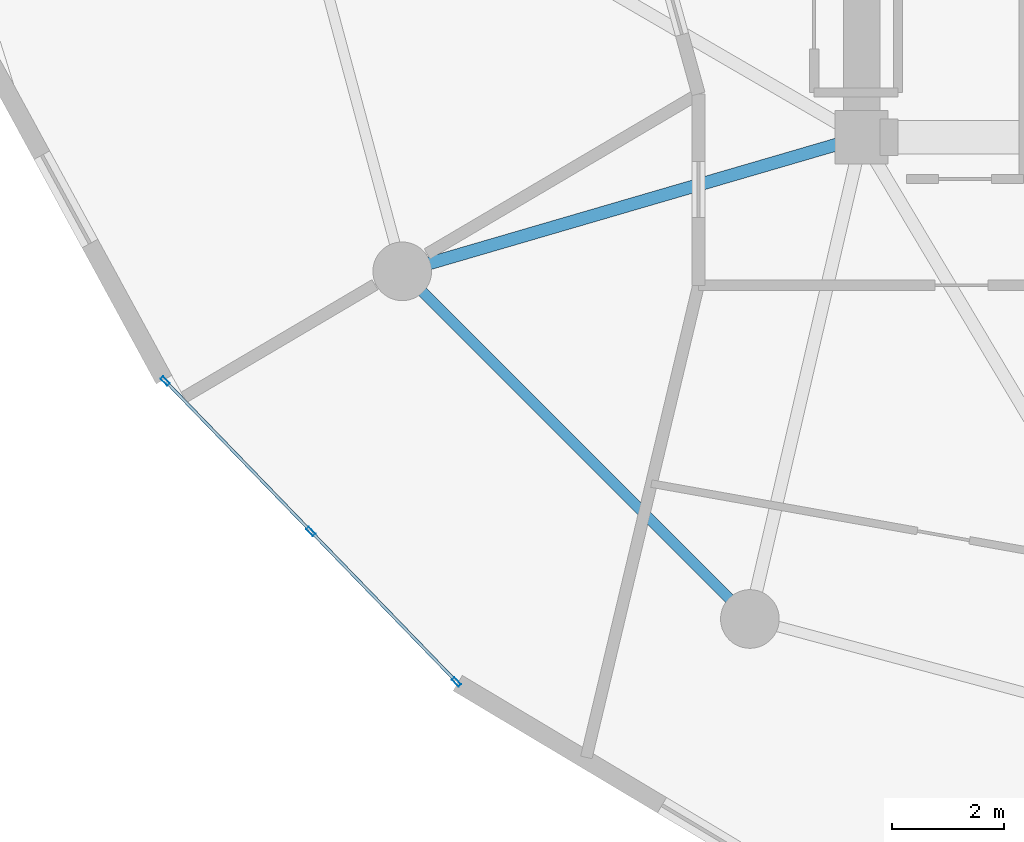
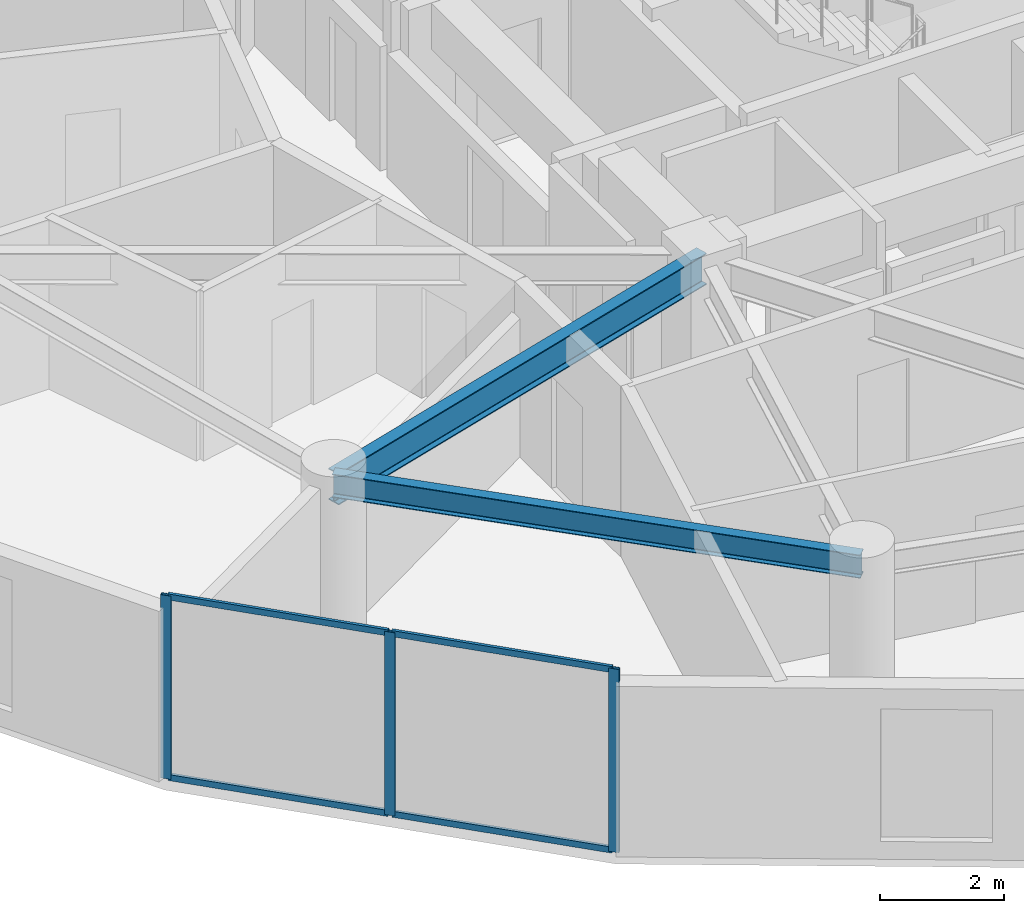
# One storey, part 2 of 25: 7 members, 2 beams, 1 element without a shape of its own.
"""IFC4 building model written with IfcOpenShell, lengths in metres."""

import ifcopenshell
import ifcopenshell.guid

model = None  # the IFC model being written
_history = None  # IfcOwnerHistory: only IFC2X3 demands one
_inside = {}  # id of a spatial element -> (the spatial element, [elements in it])
_under = {}  # id of a project, library or spatial element -> (it, [spatial elements below it])
_declared = {}  # id of a project -> (the project, [libraries it declares])
_typed = {}  # id of a type object -> (the type object, [elements of that type])
_made_of = {}  # id of a material, layer set ... -> (it, [elements and type objects made of it])


def new_model(schema):
    """Start an empty IFC model of exactly this schema.

    Asked for "IFC4X3", IfcOpenShell would pick the latest addendum, in which some entities
    have other attributes; the version numbers below select the first issue.
    IFC2X3 requires an IfcOwnerHistory on every rooted entity: one is made here for all.
    """
    global model, _history
    if schema == "IFC4X3":
        model = ifcopenshell.file(schema_version=(4, 3, 0, 0))
    else:
        model = ifcopenshell.file(schema=schema)
    _inside.clear()
    _under.clear()
    _declared.clear()
    _typed.clear()
    _made_of.clear()
    _history = None
    if model.schema == "IFC2X3":
        org = make("IfcOrganization", Name="unknown")
        user = make(
            "IfcPersonAndOrganization",
            ThePerson=make("IfcPerson", FamilyName="unknown"),
            TheOrganization=org,
        )
        app = make(
            "IfcApplication",
            ApplicationDeveloper=org,
            Version="unknown",
            ApplicationFullName="unknown",
            ApplicationIdentifier="unknown",
        )
        _history = make(
            "IfcOwnerHistory",
            OwningUser=user,
            OwningApplication=app,
            ChangeAction="ADDED",
            CreationDate=0,
        )
    return model


def make(cls, **values):
    """One entity of the class cls with the attributes given. An attribute that is None is left unset."""
    return model.create_entity(
        cls, **{name: value for name, value in values.items() if value is not None}
    )


def rooted(cls, **values):
    """An entity with a GlobalId (a new one), such as an element, a storey or a relation."""
    return make(cls, GlobalId=ifcopenshell.guid.new(), OwnerHistory=_history, **values)


def si_unit(unit_type, name, prefix=None):
    """IfcSIUnit, for example si_unit("LENGTHUNIT", "METRE", prefix="MILLI")."""
    return make("IfcSIUnit", UnitType=unit_type, Prefix=prefix, Name=name)


def assignment(units):
    """IfcUnitAssignment: the units of a project."""
    return None if units is None else make("IfcUnitAssignment", Units=units)


def point(xyz):
    """IfcCartesianPoint."""
    return None if xyz is None else make("IfcCartesianPoint", Coordinates=xyz)


def direction(xyz):
    """IfcDirection."""
    return None if xyz is None else make("IfcDirection", DirectionRatios=xyz)


def frame(location, z_axis=None, x_axis=None):
    """IfcAxis2Placement3D, a coordinate frame: its origin and axes. An axis left out is left unset."""
    return make(
        "IfcAxis2Placement3D",
        Location=point(location),
        Axis=direction(z_axis),
        RefDirection=direction(x_axis),
    )


def frame_2d(location, x_axis=None):
    """IfcAxis2Placement2D, a coordinate frame in the plane: its origin and x axis."""
    return make(
        "IfcAxis2Placement2D", Location=point(location), RefDirection=direction(x_axis)
    )


def origin():
    """The frame at (0, 0, 0) with its axes left unset."""
    return frame((0.0, 0.0, 0.0))


def origin_2d():
    """The frame at (0, 0) in the plane with its x axis left unset."""
    return frame_2d((0.0, 0.0))


def place(relative_to, where):
    """IfcLocalPlacement: puts the frame where relative to a parent placement (None: the world)."""
    return make(
        "IfcLocalPlacement", PlacementRelTo=relative_to, RelativePlacement=where
    )


def context(
    kind, dimensions, precision=None, world=None, true_north=None, identifier=None
):
    """IfcGeometricRepresentationContext, for example the 3D "Model" context."""
    return make(
        "IfcGeometricRepresentationContext",
        ContextIdentifier=identifier,
        ContextType=kind,
        CoordinateSpaceDimension=dimensions,
        Precision=precision,
        WorldCoordinateSystem=world,
        TrueNorth=true_north,
    )


def subcontext(parent, identifier, kind, view, scale=None):
    """IfcGeometricRepresentationSubContext, for example "Body" below "Model"."""
    return make(
        "IfcGeometricRepresentationSubContext",
        ContextIdentifier=identifier,
        ContextType=kind,
        ParentContext=parent,
        TargetScale=scale,
        TargetView=view,
    )


def project(units=None, contexts=None):
    """IfcProject with its units and contexts."""
    return rooted(
        "IfcProject",
        Name="project",
        RepresentationContexts=contexts,
        UnitsInContext=assignment(units),
    )


def spatial(cls, under=None, at=None, **own):
    """A site, building, storey or space (cls), placed at a placement, below another one or the project."""
    s = rooted(cls, ObjectPlacement=at, **own)
    if under is not None:
        _under.setdefault(under.id(), (under, []))[1].append(s)
    return s


def profile(cls, at=None, kind="AREA", **sizes):
    """A parametric profile (cls). Its sizes go by their IFC names, for example OverallWidth=200.0."""
    return make(cls, ProfileType=kind, Position=at, **sizes)


def hollow_rectangle(**sizes):
    """IfcRectangleHollowProfileDef."""
    return profile("IfcRectangleHollowProfileDef", **sizes)


def i_section(**sizes):
    """IfcIShapeProfileDef."""
    return profile("IfcIShapeProfileDef", **sizes)


def extrude(swept, where, along, depth):
    """IfcExtrudedAreaSolid: the profile swept, set in the frame where, extruded along a direction by depth."""
    return make(
        "IfcExtrudedAreaSolid",
        SweptArea=swept,
        Position=where,
        ExtrudedDirection=direction(along),
        Depth=depth,
    )


def shape(context_of_items, identifier, shape_type, items):
    """IfcShapeRepresentation: the items that make up one representation, for example the "Body"."""
    return make(
        "IfcShapeRepresentation",
        ContextOfItems=context_of_items,
        RepresentationIdentifier=identifier,
        RepresentationType=shape_type,
        Items=items,
    )


def source(mapping_origin, context_of_items, identifier, shape_type, items):
    """IfcRepresentationMap: a shape defined once, which mapped items show again and again."""
    return make(
        "IfcRepresentationMap",
        MappingOrigin=mapping_origin,
        MappedRepresentation=shape(context_of_items, identifier, shape_type, items),
    )


def transform(
    local_origin,
    x_axis=None,
    y_axis=None,
    z_axis=None,
    scale=None,
    scale2=None,
    scale3=None,
    uniform=True,
):
    """IfcCartesianTransformationOperator3D, or its non-uniform kind. x_axis, y_axis, z_axis: its Axis1, 2, 3."""
    if uniform:
        return make(
            "IfcCartesianTransformationOperator3D",
            Axis1=direction(x_axis),
            Axis2=direction(y_axis),
            LocalOrigin=point(local_origin),
            Scale=scale,
            Axis3=direction(z_axis),
        )
    return make(
        "IfcCartesianTransformationOperator3DnonUniform",
        Axis1=direction(x_axis),
        Axis2=direction(y_axis),
        LocalOrigin=point(local_origin),
        Scale=scale,
        Axis3=direction(z_axis),
        Scale2=scale2,
        Scale3=scale3,
    )


def mapped(mapping_source, mapping_target):
    """IfcMappedItem: shows the shape of a source again, moved by a transform."""
    return make(
        "IfcMappedItem", MappingSource=mapping_source, MappingTarget=mapping_target
    )


def material(Name=None, Category=None):
    """IfcMaterial."""
    return make("IfcMaterial", Name=Name, Category=Category)


def layer(
    of_material, thickness, ventilated=None, Name=None, Category=None, Priority=None
):
    """IfcMaterialLayer: one layer of a wall or slab, of a material (None: an air gap)."""
    return make(
        "IfcMaterialLayer",
        Material=of_material,
        LayerThickness=thickness,
        IsVentilated=ventilated,
        Name=Name,
        Category=Category,
        Priority=Priority,
    )


def layer_set(layers, Name=None):
    """IfcMaterialLayerSet."""
    return make("IfcMaterialLayerSet", MaterialLayers=layers, LayerSetName=Name)


def material_profile(
    of_material, cross_section, Name=None, Category=None, Priority=None
):
    """IfcMaterialProfile: a cross section and its material."""
    return make(
        "IfcMaterialProfile",
        Name=Name,
        Material=of_material,
        Profile=cross_section,
        Priority=Priority,
        Category=Category,
    )


def profile_set(profiles, Name=None, composite=None):
    """IfcMaterialProfileSet."""
    return make(
        "IfcMaterialProfileSet",
        Name=Name,
        MaterialProfiles=profiles,
        CompositeProfile=composite,
    )


def made_of(thing, what):
    """Note that an element or type object is made of a material, layer set ...; save() writes the relation."""
    if what is not None:
        _made_of.setdefault(what.id(), (what, []))[1].append(thing)
    return thing


def type_object(cls, material=None, **own):
    """A type object (cls), such as IfcWallType, which elements share."""
    return made_of(rooted(cls, **own), material)


def element(
    cls,
    number,
    at=None,
    inside=None,
    cuts=None,
    type_object=None,
    material=None,
    context=None,
    identifier="Body",
    shape_type=None,
    held_by="IfcProductDefinitionShape",
    body=None,
    shapes=None,
    **own,
):
    """One element of the class cls, such as IfcWall. Its Tag is "e" and its number.

    at: its placement. inside: the storey or other place that contains it. cuts: it is an
    opening in that element (IfcRelVoidsElement). A single representation is given by context,
    identifier, shape_type and body (its items); several are given by shapes. held_by: the class
    of the entity that holds the representations. save() writes the other relations.
    """
    e = rooted(cls, Tag="e%d" % number, ObjectPlacement=at, **own)
    if body is not None:
        shapes = [shape(context, identifier, shape_type, body)]
    if shapes is not None:
        e.Representation = make(held_by, Representations=shapes)
    if inside is not None:
        _inside.setdefault(inside.id(), (inside, []))[1].append(e)
    if cuts is not None:
        rooted(
            "IfcRelVoidsElement", RelatingBuildingElement=cuts, RelatedOpeningElement=e
        )
    if type_object is not None:
        _typed.setdefault(type_object.id(), (type_object, []))[1].append(e)
    return made_of(e, material)


def aggregate(whole, parts):
    """IfcRelAggregates: a whole, such as a stair, and the parts it consists of."""
    return rooted("IfcRelAggregates", RelatingObject=whole, RelatedObjects=parts)


def save(model, path):
    """Write the relations noted so far, then the file.

    IfcRelAggregates (storeys below a building ...), IfcRelContainedInSpatialStructure (elements
    in a storey), IfcRelDefinesByType, IfcRelAssociatesMaterial and IfcRelDeclares: one each for
    every whole, place, type object, material and project.
    """
    for whole, parts in _under.values():
        aggregate(whole, parts)
    for where, things in _inside.values():
        rooted(
            "IfcRelContainedInSpatialStructure",
            RelatedElements=things,
            RelatingStructure=where,
        )
    for kind, things in _typed.values():
        rooted("IfcRelDefinesByType", RelatedObjects=things, RelatingType=kind)
    for what, things in _made_of.values():
        rooted("IfcRelAssociatesMaterial", RelatedObjects=things, RelatingMaterial=what)
    for by, libraries in _declared.values():
        rooted("IfcRelDeclares", RelatingContext=by, RelatedDefinitions=libraries)
    model.write(path)


model = new_model("IFC4")

# Units and contexts
model_context = context("Model", 3, precision=1e-05, world=origin(), true_north=direction((0.0, 1.0)))
body_context = subcontext(model_context, "Body", "Model", "MODEL_VIEW")
ifc_project = project(units=[si_unit("LENGTHUNIT", "METRE"), si_unit("AREAUNIT", "SQUARE_METRE"), si_unit("VOLUMEUNIT", "CUBIC_METRE"), si_unit("PLANEANGLEUNIT", "RADIAN"), si_unit("MASSUNIT", "GRAM", prefix="KILO")], contexts=[model_context])

# Site, building, storey
site_placement = place(None, origin())
site = spatial("IfcSite", under=ifc_project, at=site_placement, CompositionType="ELEMENT")
building_placement = place(site_placement, origin())
building = spatial("IfcBuilding", under=site, at=building_placement, Name="Solvirekh Grand Hotel", CompositionType="ELEMENT")
storey_placement = place(building_placement, frame((0.0, 0.0, 127.800048828125)))
storey = spatial("IfcBuildingStorey", under=building, at=storey_placement, Name="L32", CompositionType="ELEMENT", Elevation=127.800048828125)

# Beams
ifc_material_1 = material(Name="Steel S355", Category="steel")
ifc_material_profile_1 = material_profile(ifc_material_1, i_section(OverallWidth=0.22802734375, OverallDepth=0.616943359375, WebThickness=0.012939453125, FlangeThickness=0.02001953125, FilletRadius=0.014892578125, at=origin_2d()), Name="W610X140")
ifc_profile_set_1 = profile_set([ifc_material_profile_1], Name="Steel S355")
beam_type_1 = type_object("IfcBeamType", Name="Beam_Radial_W610", PredefinedType="BEAM", material=ifc_profile_set_1)
beam_1_placement = place(storey_placement, frame((-6.5, -6.10009765625, 3.041015625), z_axis=(-0.959942195467, -0.28019811092, 0.0), x_axis=(0.28019811092, -0.959942195467, 0.0)))
element("IfcBeam", 1, at=beam_1_placement, inside=storey, type_object=beam_type_1, Name="L32 radial floor beam R08", PredefinedType="BEAM", context=body_context, shape_type="SweptSolid", body=[
    extrude(i_section(OverallWidth=0.22802734375, OverallDepth=0.616943359375, WebThickness=0.012939453125, FlangeThickness=0.02001953125, FilletRadius=0.014892578125, at=origin_2d()), origin(), (0.0, 0.0, 1.0), 8.56494140625),
])
ifc_material_profile_2 = material_profile(ifc_material_1, i_section(OverallWidth=0.18994140625, OverallDepth=0.45703125, WebThickness=0.009033203125, FlangeThickness=0.013916015625, FilletRadius=0.012939453125, at=origin_2d()), Name="W460X74")
ifc_profile_set_2 = profile_set([ifc_material_profile_2], Name="Steel S355")
beam_type_2 = type_object("IfcBeamType", Name="Spandrel_Ring_W460", PredefinedType="SPANDREL", material=ifc_profile_set_2)
beam_2_placement = place(storey_placement, frame((-14.721923828125, -8.5, 3.1220703125), z_axis=(0.707106781187, -0.707106781187, 0.0), x_axis=(0.707106781187, 0.707106781187, 0.0)))
element("IfcBeam", 2, at=beam_2_placement, inside=storey, type_object=beam_type_2, Name="L32 perimeter spandrel beam 8", PredefinedType="SPANDREL", context=body_context, shape_type="SweptSolid", body=[
    extrude(i_section(OverallWidth=0.18994140625, OverallDepth=0.45703125, WebThickness=0.009033203125, FlangeThickness=0.013916015625, FilletRadius=0.012939453125, at=origin_2d()), origin(), (0.0, 0.0, 1.0), 8.799072265625),
])

# Curtain wall, members
ifc_material_2 = material(Name="Anodized Bronze Aluminium 6063-T6", Category="aluminium")
ifc_layer = layer(ifc_material_2, 0.175048828125)
ifc_layer_set = layer_set([ifc_layer], Name="Anodized Bronze Aluminium 6063-T6")
curtain_wall_type = type_object("IfcCurtainWallType", Name="CW_Sys3_MidZoneFlushBronzeCW", PredefinedType="NOTDEFINED", material=ifc_layer_set)
curtain_wall_placement = place(storey_placement, origin())
curtain_wall = element("IfcCurtainWall", 3, at=curtain_wall_placement, inside=storey, type_object=curtain_wall_type, Name="L32 unitised bronze-glass curtain wall CW-L32-C15", PredefinedType="NOTDEFINED")
ifc_material_profile_3 = material_profile(ifc_material_2, hollow_rectangle(XDim=0.06494140625, YDim=0.175048828125, WallThickness=0.0048828125, at=origin_2d()), Name="ALU RHS 175X65X5")
ifc_profile_set_3 = profile_set([ifc_material_profile_3], Name="Anodized Bronze Aluminium 6063-T6")
member_type_1 = type_object("IfcMemberType", Name="CWMullion_Sys3", PredefinedType="MULLION", material=ifc_profile_set_3)
shared_shape_1 = source(origin(), body_context, "Body", "SweptSolid", [
    extrude(hollow_rectangle(XDim=0.06494140625, YDim=0.175048828125, WallThickness=0.0048828125, at=origin_2d()), origin(), (0.0, 0.0, 1.0), 3.599853515625),
])
member_1_placement = place(storey_placement, frame((-18.96240234375, -10.46142578125, 0.0), z_axis=(0.0, 0.0, 1.0), x_axis=(0.718587213909, 0.695436852638, 0.0)))
member_1 = element("IfcMember", 4, at=member_1_placement, type_object=member_type_1, Name="U03 mullion 1", PredefinedType="MULLION", context=body_context, shape_type="MappedRepresentation", body=[
    mapped(shared_shape_1, transform((0.0, 0.0, 0.0), x_axis=(1.0, 0.0, 0.0), y_axis=(0.0, 1.0, 0.0), z_axis=(0.0, 0.0, 1.0), scale=1.0)),
])
member_2_placement = place(storey_placement, frame((-16.3564453125, -13.154052734375, 0.0), z_axis=(0.0, 0.0, 1.0), x_axis=(0.718587213909, 0.695436852638, 0.0)))
member_2 = element("IfcMember", 5, at=member_2_placement, type_object=member_type_1, Name="U03 mullion 2", PredefinedType="MULLION", context=body_context, shape_type="MappedRepresentation", body=[
    mapped(shared_shape_1, transform((0.0, 0.0, 0.0), x_axis=(1.0, 0.0, 0.0), y_axis=(0.0, 1.0, 0.0), z_axis=(0.0, 0.0, 1.0), scale=1.0)),
])
member_3_placement = place(storey_placement, frame((-13.75048828125, -15.8466796875, 0.0), z_axis=(0.0, 0.0, 1.0), x_axis=(0.718587213909, 0.695436852638, 0.0)))
member_3 = element("IfcMember", 6, at=member_3_placement, type_object=member_type_1, Name="U03 mullion 3", PredefinedType="MULLION", context=body_context, shape_type="MappedRepresentation", body=[
    mapped(shared_shape_1, transform((0.0, 0.0, 0.0), x_axis=(1.0, 0.0, 0.0), y_axis=(0.0, 1.0, 0.0), z_axis=(0.0, 0.0, 1.0), scale=1.0)),
])
ifc_material_profile_4 = material_profile(ifc_material_2, hollow_rectangle(XDim=0.054931640625, YDim=0.1201171875, WallThickness=0.00390625, at=origin_2d()), Name="ALU RHS 120X55X4")
ifc_profile_set_4 = profile_set([ifc_material_profile_4], Name="Anodized Bronze Aluminium 6063-T6")
member_type_2 = type_object("IfcMemberType", Name="CWTransom_Sys3", PredefinedType="USERDEFINED", material=ifc_profile_set_4)
shared_shape_2 = source(origin(), body_context, "Body", "SweptSolid", [
    extrude(hollow_rectangle(XDim=0.054931640625, YDim=0.1201171875, WallThickness=0.00390625, at=origin_2d()), origin(), (0.0, 0.0, 1.0), 3.68212890625),
])
member_4_placement = place(storey_placement, frame((-18.939697265625, -10.484619140625, 0.02734375), z_axis=(0.695408173498, -0.718614967999, 0.0), x_axis=(0.718614967999, 0.695408173498, 0.0)))
member_4 = element("IfcMember", 7, at=member_4_placement, type_object=member_type_2, Name="U03 transom 1.1", ObjectType="TRANSOM", PredefinedType="USERDEFINED", context=body_context, shape_type="MappedRepresentation", body=[
    mapped(shared_shape_2, transform((0.0, 0.0, 0.0), x_axis=(1.0, 0.0, 0.0), y_axis=(0.0, 1.0, 0.0), z_axis=(0.0, 0.0, 1.0), scale=1.0)),
])
member_5_placement = place(storey_placement, frame((-18.939697265625, -10.484619140625, 3.572509765625), z_axis=(0.695408173498, -0.718614967999, 0.0), x_axis=(0.718614967999, 0.695408173498, 0.0)))
member_5 = element("IfcMember", 8, at=member_5_placement, type_object=member_type_2, Name="U03 transom 1.2", ObjectType="TRANSOM", PredefinedType="USERDEFINED", context=body_context, shape_type="MappedRepresentation", body=[
    mapped(shared_shape_2, transform((0.0, 0.0, 0.0), x_axis=(1.0, 0.0, 0.0), y_axis=(0.0, 1.0, 0.0), z_axis=(0.0, 0.0, 1.0), scale=1.0)),
])
member_6_placement = place(storey_placement, frame((-16.333984375, -13.17724609375, 0.02734375), z_axis=(0.695442411593, -0.718581834002, 0.0), x_axis=(0.718581834002, 0.695442411593, 0.0)))
member_6 = element("IfcMember", 9, at=member_6_placement, type_object=member_type_2, Name="U03 transom 2.1", ObjectType="TRANSOM", PredefinedType="USERDEFINED", context=body_context, shape_type="MappedRepresentation", body=[
    mapped(shared_shape_2, transform((0.0, 0.0, 0.0), x_axis=(1.0, 0.0, 0.0), y_axis=(0.0, 1.0, 0.0), z_axis=(0.0, 0.0, 1.0), scale=1.0)),
])
member_7_placement = place(storey_placement, frame((-16.333984375, -13.17724609375, 3.572509765625), z_axis=(0.695442411593, -0.718581834002, 0.0), x_axis=(0.718581834002, 0.695442411593, 0.0)))
member_7 = element("IfcMember", 10, at=member_7_placement, type_object=member_type_2, Name="U03 transom 2.2", ObjectType="TRANSOM", PredefinedType="USERDEFINED", context=body_context, shape_type="MappedRepresentation", body=[
    mapped(shared_shape_2, transform((0.0, 0.0, 0.0), x_axis=(1.0, 0.0, 0.0), y_axis=(0.0, 1.0, 0.0), z_axis=(0.0, 0.0, 1.0), scale=1.0)),
])
aggregate(curtain_wall, [member_1, member_2, member_3, member_4, member_5, member_6, member_7])

save(model, "model.ifc")
